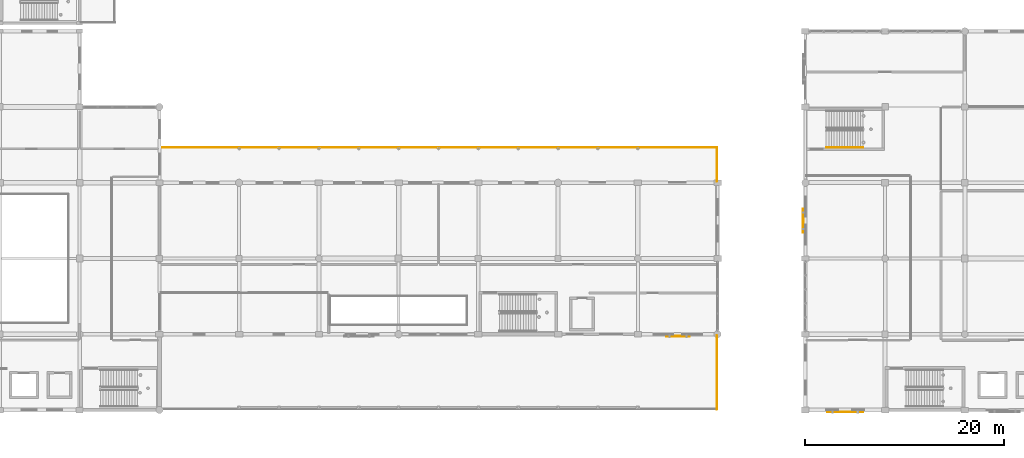
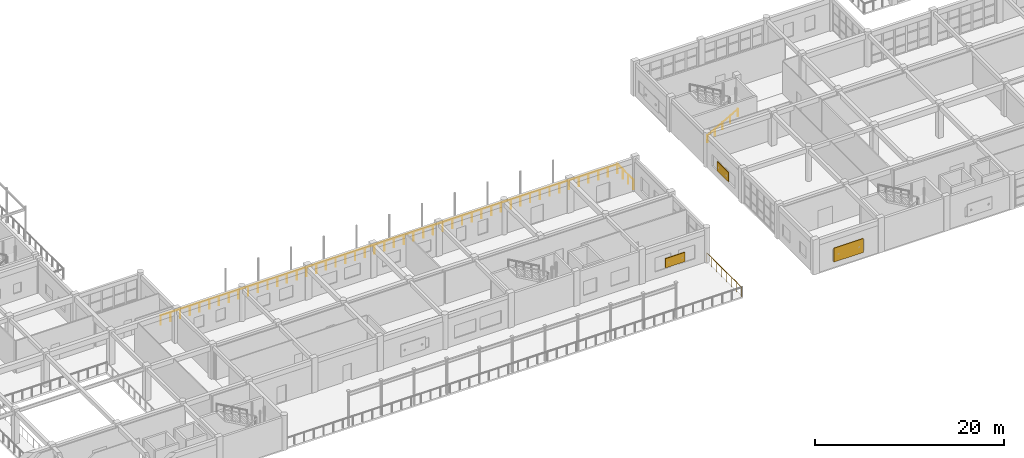
# One storey, part 150 of 160: 4 railings, 3 shading devices.
"""IFC4 building model written with IfcOpenShell, lengths in metres."""

from ifc_helpers import new_model, si_unit, direction, frame, origin, origin_2d, place, context, subcontext, project, spatial, rectangle, circle, extrude, material, type_object, element, save


model = new_model("IFC4")

# Units and contexts
model_context = context("Model", 3, precision=1e-05, world=origin(), true_north=direction((0.0, 1.0)))
body_context = subcontext(model_context, "Body", "Model", "MODEL_VIEW")
ifc_project = project(units=[si_unit("LENGTHUNIT", "METRE"), si_unit("AREAUNIT", "SQUARE_METRE"), si_unit("VOLUMEUNIT", "CUBIC_METRE"), si_unit("PLANEANGLEUNIT", "RADIAN"), si_unit("MASSUNIT", "GRAM", prefix="KILO")], contexts=[model_context])

# Site, building, storey
site_placement = place(None, origin())
site = spatial("IfcSite", under=ifc_project, at=site_placement, CompositionType="ELEMENT")
building_placement = place(site_placement, origin())
building = spatial("IfcBuilding", under=site, at=building_placement, Name="Kharva Crest Polytechnic", CompositionType="ELEMENT")
storey_placement = place(building_placement, frame((0.0, 0.0, 4.5)))
storey = spatial("IfcBuildingStorey", under=building, at=storey_placement, Name="L01", CompositionType="ELEMENT", Elevation=4.5)

# Railings
ifc_material_1 = material(Name="Anodised aluminium", Category="aluminium")
railing_type_1 = type_object("IfcRailingType", Name="RL-BALUSTRADE-1200", PredefinedType="BALUSTRADE", material=ifc_material_1)
railing_1_placement = place(storey_placement, frame((111.919921875, 0.06005859375, 0.0)))
element("IfcRailing", 1, at=railing_1_placement, inside=storey, type_object=railing_type_1, Name="L01 ARC_S_L01 E Balustrade 2", PredefinedType="BALUSTRADE", context=body_context, shape_type="SweptSolid", body=[
    extrude(circle(Radius=0.02392578125, at=origin_2d()), frame((0.0, 0.0, 1.17578125), z_axis=(0.0, 1.0, 0.0), x_axis=(-1.0, 0.0, 0.0)), (0.0, 0.0, 1.0), 7.39990234375),
    extrude(circle(Radius=0.02099609375, at=origin_2d()), origin(), (0.0, 0.0, 1.0), 1.15185546875),
    extrude(circle(Radius=0.02099609375, at=origin_2d()), frame((0.0, 1.05712890625, 0.0)), (0.0, 0.0, 1.0), 1.15185546875),
    extrude(circle(Radius=0.02099609375, at=origin_2d()), frame((0.0, 2.1142578125, 0.0)), (0.0, 0.0, 1.0), 1.15185546875),
    extrude(circle(Radius=0.02099609375, at=origin_2d()), frame((0.0, 3.17138671875, 0.0)), (0.0, 0.0, 1.0), 1.15185546875),
    extrude(circle(Radius=0.02099609375, at=origin_2d()), frame((0.0, 4.228515625, 0.0)), (0.0, 0.0, 1.0), 1.15185546875),
    extrude(circle(Radius=0.02099609375, at=origin_2d()), frame((0.0, 5.28564453125, 0.0)), (0.0, 0.0, 1.0), 1.15185546875),
    extrude(circle(Radius=0.02099609375, at=origin_2d()), frame((0.0, 6.3427734375, 0.0)), (0.0, 0.0, 1.0), 1.15185546875),
    extrude(circle(Radius=0.02099609375, at=origin_2d()), frame((0.0, 7.39990234375, 0.0)), (0.0, 0.0, 1.0), 1.15185546875),
])
railing_2_placement = place(storey_placement, frame((56.139892578125, 26.320068359375, 0.0)))
element("IfcRailing", 2, at=railing_2_placement, inside=storey, type_object=railing_type_1, Name="L01 VER_S_L01 N Balustrade 10", PredefinedType="BALUSTRADE", context=body_context, shape_type="SweptSolid", body=[
    extrude(circle(Radius=0.02392578125, at=origin_2d()), frame((0.0, 0.0, 1.17578125), z_axis=(1.0, 0.0, 0.0), x_axis=(0.0, 1.0, 0.0)), (0.0, 0.0, 1.0), 55.800048828125),
    extrude(circle(Radius=0.02099609375, at=origin_2d()), origin(), (0.0, 0.0, 1.0), 1.15185546875),
    extrude(circle(Radius=0.02099609375, at=origin_2d()), frame((1.187255859375, 0.0, 0.0)), (0.0, 0.0, 1.0), 1.15185546875),
    extrude(circle(Radius=0.02099609375, at=origin_2d()), frame((2.37451171875, 0.0, 0.0)), (0.0, 0.0, 1.0), 1.15185546875),
    extrude(circle(Radius=0.02099609375, at=origin_2d()), frame((3.561767578125, 0.0, 0.0)), (0.0, 0.0, 1.0), 1.15185546875),
    extrude(circle(Radius=0.02099609375, at=origin_2d()), frame((4.7490234375, 0.0, 0.0)), (0.0, 0.0, 1.0), 1.15185546875),
    extrude(circle(Radius=0.02099609375, at=origin_2d()), frame((5.936279296875, 0.0, 0.0)), (0.0, 0.0, 1.0), 1.15185546875),
    extrude(circle(Radius=0.02099609375, at=origin_2d()), frame((7.123291015625, 0.0, 0.0)), (0.0, 0.0, 1.0), 1.15185546875),
    extrude(circle(Radius=0.02099609375, at=origin_2d()), frame((8.310546875, 0.0, 0.0)), (0.0, 0.0, 1.0), 1.15185546875),
    extrude(circle(Radius=0.02099609375, at=origin_2d()), frame((9.497802734375, 0.0, 0.0)), (0.0, 0.0, 1.0), 1.15185546875),
    extrude(circle(Radius=0.02099609375, at=origin_2d()), frame((10.68505859375, 0.0, 0.0)), (0.0, 0.0, 1.0), 1.15185546875),
    extrude(circle(Radius=0.02099609375, at=origin_2d()), frame((11.872314453125, 0.0, 0.0)), (0.0, 0.0, 1.0), 1.15185546875),
    extrude(circle(Radius=0.02099609375, at=origin_2d()), frame((13.0595703125, 0.0, 0.0)), (0.0, 0.0, 1.0), 1.15185546875),
    extrude(circle(Radius=0.02099609375, at=origin_2d()), frame((14.246826171875, 0.0, 0.0)), (0.0, 0.0, 1.0), 1.15185546875),
    extrude(circle(Radius=0.02099609375, at=origin_2d()), frame((15.43408203125, 0.0, 0.0)), (0.0, 0.0, 1.0), 1.15185546875),
    extrude(circle(Radius=0.02099609375, at=origin_2d()), frame((16.621337890625, 0.0, 0.0)), (0.0, 0.0, 1.0), 1.15185546875),
    extrude(circle(Radius=0.02099609375, at=origin_2d()), frame((17.80859375, 0.0, 0.0)), (0.0, 0.0, 1.0), 1.15185546875),
    extrude(circle(Radius=0.02099609375, at=origin_2d()), frame((18.995849609375, 0.0, 0.0)), (0.0, 0.0, 1.0), 1.15185546875),
    extrude(circle(Radius=0.02099609375, at=origin_2d()), frame((20.18310546875, 0.0, 0.0)), (0.0, 0.0, 1.0), 1.15185546875),
    extrude(circle(Radius=0.02099609375, at=origin_2d()), frame((21.3701171875, 0.0, 0.0)), (0.0, 0.0, 1.0), 1.15185546875),
    extrude(circle(Radius=0.02099609375, at=origin_2d()), frame((22.557373046875, 0.0, 0.0)), (0.0, 0.0, 1.0), 1.15185546875),
    extrude(circle(Radius=0.02099609375, at=origin_2d()), frame((23.74462890625, 0.0, 0.0)), (0.0, 0.0, 1.0), 1.15185546875),
    extrude(circle(Radius=0.02099609375, at=origin_2d()), frame((24.931884765625, 0.0, 0.0)), (0.0, 0.0, 1.0), 1.15185546875),
    extrude(circle(Radius=0.02099609375, at=origin_2d()), frame((26.119140625, 0.0, 0.0)), (0.0, 0.0, 1.0), 1.15185546875),
    extrude(circle(Radius=0.02099609375, at=origin_2d()), frame((27.306396484375, 0.0, 0.0)), (0.0, 0.0, 1.0), 1.15185546875),
    extrude(circle(Radius=0.02099609375, at=origin_2d()), frame((28.49365234375, 0.0, 0.0)), (0.0, 0.0, 1.0), 1.15185546875),
    extrude(circle(Radius=0.02099609375, at=origin_2d()), frame((29.680908203125, 0.0, 0.0)), (0.0, 0.0, 1.0), 1.15185546875),
    extrude(circle(Radius=0.02099609375, at=origin_2d()), frame((30.8681640625, 0.0, 0.0)), (0.0, 0.0, 1.0), 1.15185546875),
    extrude(circle(Radius=0.02099609375, at=origin_2d()), frame((32.055419921875, 0.0, 0.0)), (0.0, 0.0, 1.0), 1.15185546875),
    extrude(circle(Radius=0.02099609375, at=origin_2d()), frame((33.24267578125, 0.0, 0.0)), (0.0, 0.0, 1.0), 1.15185546875),
    extrude(circle(Radius=0.02099609375, at=origin_2d()), frame((34.429931640625, 0.0, 0.0)), (0.0, 0.0, 1.0), 1.15185546875),
    extrude(circle(Radius=0.02099609375, at=origin_2d()), frame((35.616943359375, 0.0, 0.0)), (0.0, 0.0, 1.0), 1.15185546875),
    extrude(circle(Radius=0.02099609375, at=origin_2d()), frame((36.80419921875, 0.0, 0.0)), (0.0, 0.0, 1.0), 1.15185546875),
    extrude(circle(Radius=0.02099609375, at=origin_2d()), frame((37.991455078125, 0.0, 0.0)), (0.0, 0.0, 1.0), 1.15185546875),
    extrude(circle(Radius=0.02099609375, at=origin_2d()), frame((39.1787109375, 0.0, 0.0)), (0.0, 0.0, 1.0), 1.15185546875),
    extrude(circle(Radius=0.02099609375, at=origin_2d()), frame((40.365966796875, 0.0, 0.0)), (0.0, 0.0, 1.0), 1.15185546875),
    extrude(circle(Radius=0.02099609375, at=origin_2d()), frame((41.55322265625, 0.0, 0.0)), (0.0, 0.0, 1.0), 1.15185546875),
    extrude(circle(Radius=0.02099609375, at=origin_2d()), frame((42.740478515625, 0.0, 0.0)), (0.0, 0.0, 1.0), 1.15185546875),
    extrude(circle(Radius=0.02099609375, at=origin_2d()), frame((43.927734375, 0.0, 0.0)), (0.0, 0.0, 1.0), 1.15185546875),
    extrude(circle(Radius=0.02099609375, at=origin_2d()), frame((45.114990234375, 0.0, 0.0)), (0.0, 0.0, 1.0), 1.15185546875),
    extrude(circle(Radius=0.02099609375, at=origin_2d()), frame((46.30224609375, 0.0, 0.0)), (0.0, 0.0, 1.0), 1.15185546875),
    extrude(circle(Radius=0.02099609375, at=origin_2d()), frame((47.489501953125, 0.0, 0.0)), (0.0, 0.0, 1.0), 1.15185546875),
    extrude(circle(Radius=0.02099609375, at=origin_2d()), frame((48.6767578125, 0.0, 0.0)), (0.0, 0.0, 1.0), 1.15185546875),
    extrude(circle(Radius=0.02099609375, at=origin_2d()), frame((49.86376953125, 0.0, 0.0)), (0.0, 0.0, 1.0), 1.15185546875),
    extrude(circle(Radius=0.02099609375, at=origin_2d()), frame((51.051025390625, 0.0, 0.0)), (0.0, 0.0, 1.0), 1.15185546875),
    extrude(circle(Radius=0.02099609375, at=origin_2d()), frame((52.23828125, 0.0, 0.0)), (0.0, 0.0, 1.0), 1.15185546875),
    extrude(circle(Radius=0.02099609375, at=origin_2d()), frame((53.425537109375, 0.0, 0.0)), (0.0, 0.0, 1.0), 1.15185546875),
    extrude(circle(Radius=0.02099609375, at=origin_2d()), frame((54.61279296875, 0.0, 0.0)), (0.0, 0.0, 1.0), 1.15185546875),
    extrude(circle(Radius=0.02099609375, at=origin_2d()), frame((55.800048828125, 0.0, 0.0)), (0.0, 0.0, 1.0), 1.15185546875),
])
railing_3_placement = place(storey_placement, frame((111.919921875, 22.93994140625, 0.0)))
element("IfcRailing", 3, at=railing_3_placement, inside=storey, type_object=railing_type_1, Name="L01 VER_S_L01 E Balustrade 11", PredefinedType="BALUSTRADE", context=body_context, shape_type="SweptSolid", body=[
    extrude(circle(Radius=0.02392578125, at=origin_2d()), frame((0.0, 0.0, 1.17578125), z_axis=(0.0, 1.0, 0.0), x_axis=(-1.0, 0.0, 0.0)), (0.0, 0.0, 1.0), 3.400146484375),
    extrude(circle(Radius=0.02099609375, at=origin_2d()), origin(), (0.0, 0.0, 1.0), 1.15185546875),
    extrude(circle(Radius=0.02099609375, at=origin_2d()), frame((0.0, 1.13330078125, 0.0)), (0.0, 0.0, 1.0), 1.15185546875),
    extrude(circle(Radius=0.02099609375, at=origin_2d()), frame((0.0, 2.266845703125, 0.0)), (0.0, 0.0, 1.0), 1.15185546875),
    extrude(circle(Radius=0.02099609375, at=origin_2d()), frame((0.0, 3.400146484375, 0.0)), (0.0, 0.0, 1.0), 1.15185546875),
])
ifc_material_2 = material(Name="Teak timber", Category="wood")
railing_type_2 = type_object("IfcRailingType", Name="RL-STAIR-HAND-900", PredefinedType="HANDRAIL", material=ifc_material_2)
railing_4_placement = place(storey_placement, frame((122.89990234375, 26.340087890625, 0.14990234375)))
element("IfcRailing", 4, at=railing_4_placement, inside=storey, type_object=railing_type_2, Name="L01 ST-07 stair handrail 1", PredefinedType="HANDRAIL", context=body_context, shape_type="SweptSolid", body=[
    extrude(circle(Radius=0.02392578125, at=origin_2d()), frame((0.0, 0.0, 0.8759765625), z_axis=(0.870258707807, 0.0, 0.492594946671), x_axis=(0.0, 1.0, 0.0)), (0.0, 0.0, 1.0), 4.263427734375),
    extrude(circle(Radius=0.02099609375, at=origin_2d()), origin(), (0.0, 0.0, 1.0), 0.851806640625),
    extrude(circle(Radius=0.02099609375, at=origin_2d()), frame((0.927490234375, 0.0, 0.52490234375)), (0.0, 0.0, 1.0), 0.851806640625),
    extrude(circle(Radius=0.02099609375, at=origin_2d()), frame((1.85498046875, 0.0, 1.050048828125)), (0.0, 0.0, 1.0), 0.851806640625),
    extrude(circle(Radius=0.02099609375, at=origin_2d()), frame((2.78271484375, 0.0, 1.5751953125)), (0.0, 0.0, 1.0), 0.851806640625),
    extrude(circle(Radius=0.02099609375, at=origin_2d()), frame((3.710205078125, 0.0, 2.10009765625)), (0.0, 0.0, 1.0), 0.851806640625),
])

# Shading devices
ifc_material_3 = material(Name="Perforated terracotta", Category="masonry")
shading_device_type_1 = type_object("IfcShadingDeviceType", Name="SHD-JAALI-3600X1800", PredefinedType="USERDEFINED", material=ifc_material_3)
shading_device_placement = place(storey_placement, frame((124.800048828125, -0.197998046875, 0.75), z_axis=(0.0, 0.0, 1.0), x_axis=(1.0, 0.0, 0.0)))
element("IfcShadingDevice", 5, at=shading_device_placement, inside=storey, type_object=shading_device_type_1, Name="L01 Terracotta Jaali Solar Screen 33", ObjectType="LOUVRE", PredefinedType="USERDEFINED", context=body_context, shape_type="SweptSolid", body=[
    extrude(rectangle(XDim=3.60009765625, YDim=0.080078125, at=origin_2d()), origin(), (0.0, 0.0, 1.0), 1.800048828125),
])
shading_device_type_2 = type_object("IfcShadingDeviceType", Name="SHD-LOUVRE-2400X1200", PredefinedType="USERDEFINED", material=ifc_material_3)
for number, where, z_axis, x_axis, name in (
    (6, (108.0263671875, 7.41455078125, 1.0498046875), (0.0, 0.0, 1.0), (1.0, 0.0, 0.0), "L01 Terracotta Jaali Solar Screen 29"),
    (7, (120.569580078125, 18.98388671875, 1.0498046875), (0.0, 0.0, 1.0), (0.0, 1.0, 0.0), "L01 Terracotta Jaali Solar Screen 32"),
):
    element("IfcShadingDevice", number, at=place(storey_placement, frame(where, z_axis=z_axis, x_axis=x_axis)), inside=storey, type_object=shading_device_type_2, Name=name, ObjectType="LOUVRE", PredefinedType="USERDEFINED", context=body_context, shape_type="SweptSolid", body=[
        extrude(rectangle(XDim=2.39990234375, YDim=0.10009765625, at=origin_2d()), origin(), (0.0, 0.0, 1.0), 1.199951171875),
    ])

save(model, "model.ifc")
